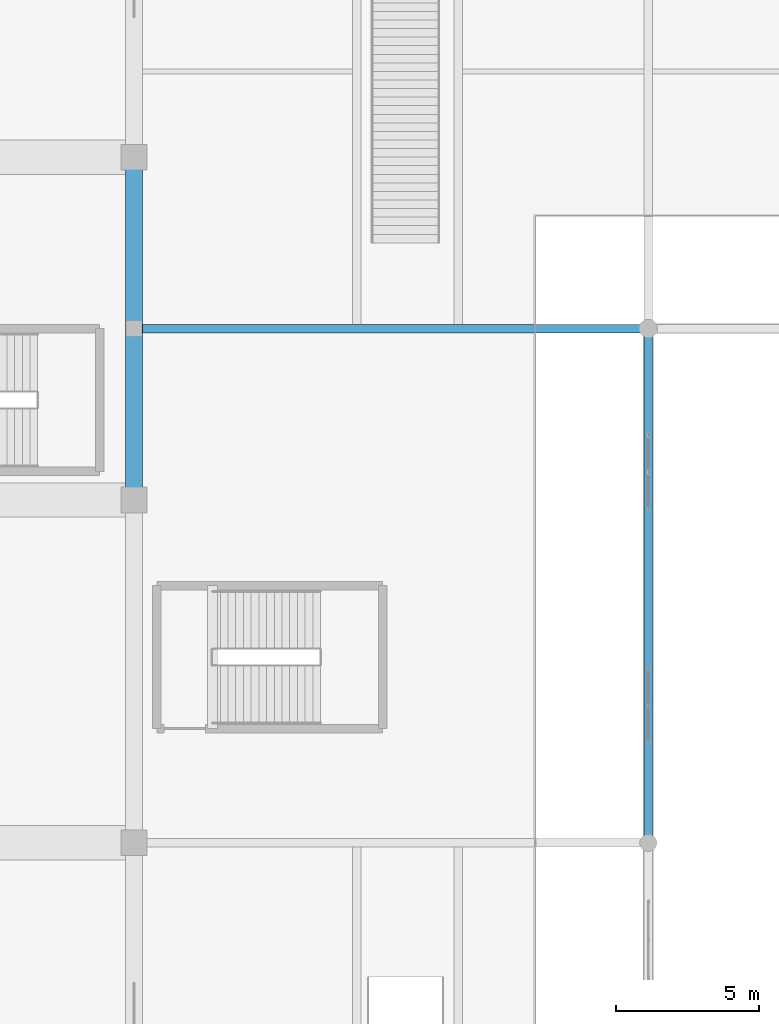
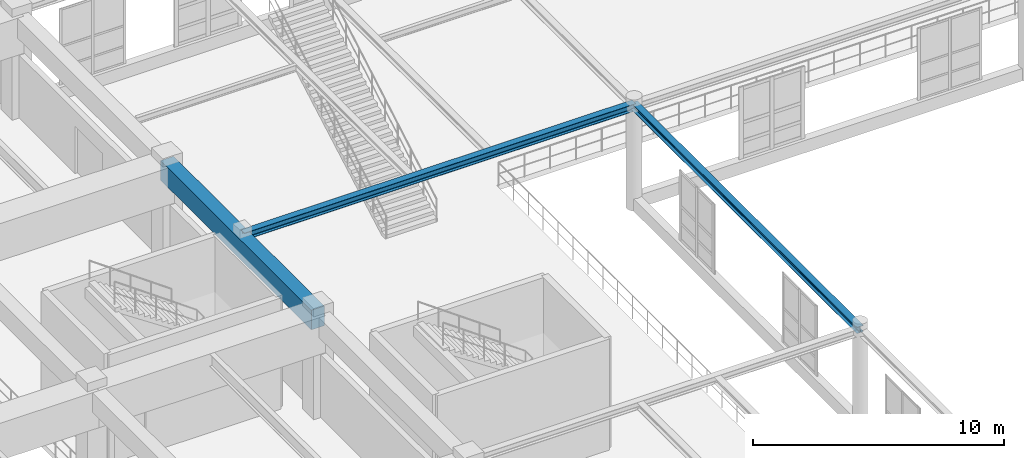
# One storey, part 69 of 197: 3 beams.
"""IFC4 building model written with IfcOpenShell, lengths in metres."""

from ifc_helpers import new_model, si_unit, derived_unit, direction, frame, origin, origin_2d, place, context, subcontext, project, spatial, rectangle, i_section, extrude, material, material_profile, profile_set, type_object, element, save


model = new_model("IFC4")

# Units and contexts
model_context = context("Model", 3, precision=1e-05, world=origin(), true_north=direction((0.0, 1.0)))
body_context = subcontext(model_context, "Body", "Model", "MODEL_VIEW")
ifc_project = project(units=[si_unit("LENGTHUNIT", "METRE"), si_unit("AREAUNIT", "SQUARE_METRE"), si_unit("VOLUMEUNIT", "CUBIC_METRE"), si_unit("PLANEANGLEUNIT", "RADIAN"), si_unit("MASSUNIT", "GRAM", prefix="KILO"), derived_unit("THERMALTRANSMITTANCEUNIT", [(si_unit("POWERUNIT", "WATT"), 1), (si_unit("LENGTHUNIT", "METRE"), -2), (si_unit("THERMODYNAMICTEMPERATUREUNIT", "KELVIN"), -1)])], contexts=[model_context])

# Site, building, storey
site_placement = place(None, origin())
site = spatial("IfcSite", under=ifc_project, at=site_placement, CompositionType="ELEMENT")
building_placement = place(site_placement, origin())
building = spatial("IfcBuilding", under=site, at=building_placement, Name="Almenara Railside Exhibition Hall", CompositionType="ELEMENT")
storey_placement = place(building_placement, frame((0.0, 0.0, 5.39990234375)))
storey = spatial("IfcBuildingStorey", under=building, at=storey_placement, Name="L01", CompositionType="ELEMENT", Elevation=5.39990234375)

# Beams
ifc_material_1 = material(Name="Concrete C40/50", Category="concrete")
ifc_material_profile_1 = material_profile(ifc_material_1, rectangle(XDim=0.60009765625, YDim=0.949951171875, at=origin_2d()), Name="RC 600x950")
ifc_profile_set_1 = profile_set([ifc_material_profile_1], Name="Concrete C40/50")
beam_type_1 = type_object("IfcBeamType", Name="RC Hall Edge Beam 600x950 C40/50", PredefinedType="BEAM", material=ifc_profile_set_1)
beam_1_placement = place(storey_placement, frame((66.0, 84.0, 4.52099609375), z_axis=(0.0, 1.0, 0.0), x_axis=(-1.0, 0.0, 0.0)))
element("IfcBeam", 1, at=beam_1_placement, inside=storey, type_object=beam_type_1, Name="Beam 0625", PredefinedType="BEAM", context=body_context, shape_type="SweptSolid", body=[
    extrude(rectangle(XDim=0.60009765625, YDim=0.949951171875, at=origin_2d()), origin(), (0.0, 0.0, 1.0), 12.0),
])
ifc_material_2 = material(Name="Structural steel S355JR", Category="steel")
ifc_material_profile_2 = material_profile(ifc_material_2, i_section(OverallWidth=0.300048828125, OverallDepth=0.31005859375, WebThickness=0.009033203125, FlangeThickness=0.015380859375, FilletRadius=0.027099609375, at=origin_2d()), Name="HEA 320")
ifc_profile_set_2 = profile_set([ifc_material_profile_2], Name="Structural steel S355JR")
beam_type_2 = type_object("IfcBeamType", Name="Steel Concourse Edge Beam HEA 320 S355JR", PredefinedType="BEAM", material=ifc_profile_set_2)
beam_2_placement = place(storey_placement, frame((84.0, 72.0, 4.93505859375), z_axis=(0.0, 1.0, 0.0), x_axis=(-1.0, 0.0, 0.0)))
element("IfcBeam", 2, at=beam_2_placement, inside=storey, type_object=beam_type_2, Name="Beam 0814", PredefinedType="BEAM", context=body_context, shape_type="SweptSolid", body=[
    extrude(i_section(OverallWidth=0.300048828125, OverallDepth=0.31005859375, WebThickness=0.009033203125, FlangeThickness=0.015380859375, FilletRadius=0.027099609375, at=origin_2d()), origin(), (0.0, 0.0, 1.0), 18.0),
])
ifc_material_profile_3 = material_profile(ifc_material_2, i_section(OverallWidth=0.300048828125, OverallDepth=0.35009765625, WebThickness=0.010009765625, FlangeThickness=0.017578125, FilletRadius=0.027099609375, at=origin_2d()), Name="HEA 360")
ifc_profile_set_3 = profile_set([ifc_material_profile_3], Name="Structural steel S355JR")
beam_type_3 = type_object("IfcBeamType", Name="Steel Concourse Frame Beam HEA 360 S355JR", PredefinedType="BEAM", material=ifc_profile_set_3)
beam_3_placement = place(storey_placement, frame((66.0, 90.0, 4.9150390625), z_axis=(1.0, 0.0, 0.0), x_axis=(0.0, 1.0, 0.0)))
element("IfcBeam", 3, at=beam_3_placement, inside=storey, type_object=beam_type_3, Name="Beam 0798", PredefinedType="BEAM", context=body_context, shape_type="SweptSolid", body=[
    extrude(i_section(OverallWidth=0.300048828125, OverallDepth=0.35009765625, WebThickness=0.010009765625, FlangeThickness=0.017578125, FilletRadius=0.027099609375, at=origin_2d()), origin(), (0.0, 0.0, 1.0), 18.0),
])

save(model, "model.ifc")
